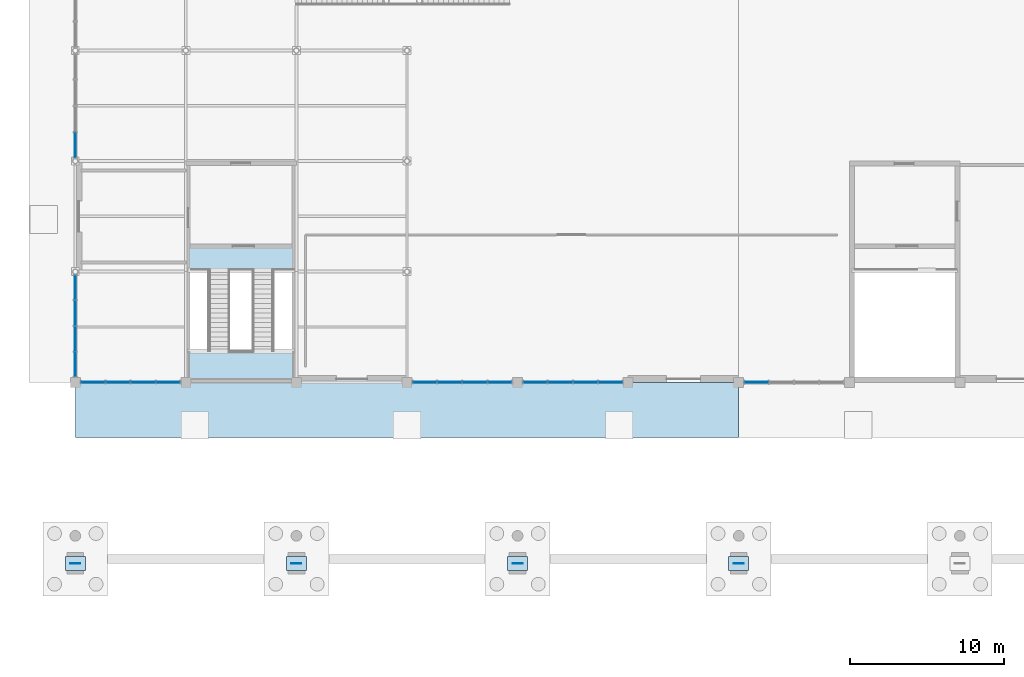
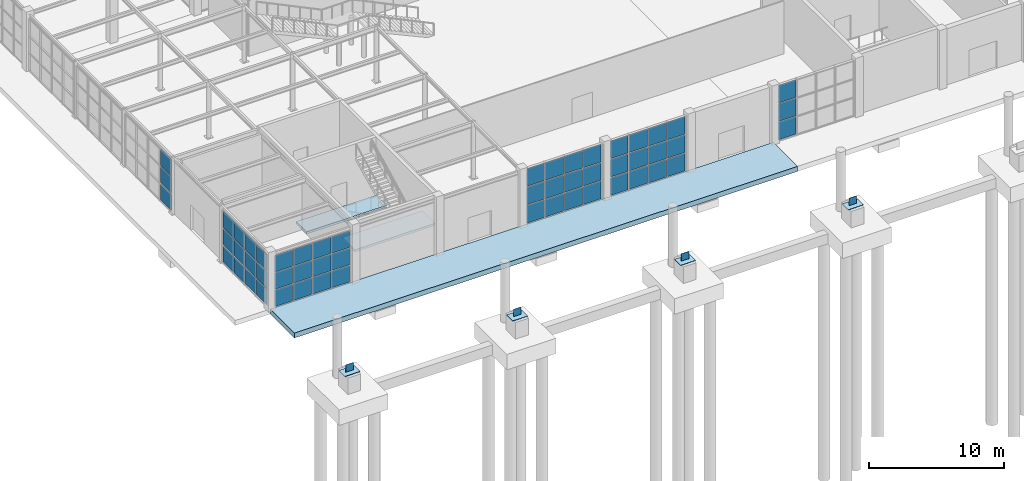
# One storey, part 37 of 75: 62 plates, 3 slabs, 7 elements without a shape of their own.
"""IFC4 building model written with IfcOpenShell, lengths in metres."""

from ifc_helpers import new_model, si_unit, direction, frame, origin, origin_2d, place, context, subcontext, project, spatial, polyline, rectangle, outline, extrude, material, layer, layer_set, type_object, element, aggregate, save


model = new_model("IFC4")

# Units and contexts
model_context = context("Model", 3, precision=1e-05, world=origin(), true_north=direction((0.0, 1.0)))
body_context = subcontext(model_context, "Body", "Model", "MODEL_VIEW")
ifc_project = project(units=[si_unit("LENGTHUNIT", "METRE"), si_unit("AREAUNIT", "SQUARE_METRE"), si_unit("VOLUMEUNIT", "CUBIC_METRE"), si_unit("PLANEANGLEUNIT", "RADIAN"), si_unit("MASSUNIT", "GRAM", prefix="KILO")], contexts=[model_context])

# Site, building, storey
site_placement = place(None, origin())
site = spatial("IfcSite", under=ifc_project, at=site_placement, CompositionType="ELEMENT")
building_placement = place(site_placement, origin())
building = spatial("IfcBuilding", under=site, at=building_placement, Name="Leyfeld Transit Interchange", CompositionType="ELEMENT")
storey_placement = place(building_placement, origin())
storey = spatial("IfcBuildingStorey", under=building, at=storey_placement, Name="L00", CompositionType="ELEMENT", Elevation=0.0)

# Curtain wall, plates
ifc_material_1 = material(Name="Anodised aluminium EN AW-6060 T66", Category="aluminium")
curtain_wall_type = type_object("IfcCurtainWallType", Name="CW-SYS-ARC-7200", PredefinedType="NOTDEFINED", material=ifc_material_1)
curtain_wall_1_placement = place(storey_placement, origin())
curtain_wall_1 = element("IfcCurtainWall", 1, at=curtain_wall_1_placement, inside=storey, type_object=curtain_wall_type, Name="Curtain Wall CW-L00-001", PredefinedType="NOTDEFINED")
ifc_material_2 = material(Name="Triple low-E insulated glazing", Category="glass")
ifc_layer_1 = layer(ifc_material_2, 0.0439453125, Name="Triple low-E insulated glazing")
ifc_layer_set_1 = layer_set([ifc_layer_1], Name="Triple low-E insulated glazing")
plate_type_1 = type_object("IfcPlateType", Name="CW-PNL-GLZ-44", PredefinedType="CURTAIN_PANEL", material=ifc_layer_set_1)
plate_1_placement = place(storey_placement, frame((0.0, 15.575927734375, 0.08349609375), z_axis=(0.0, 0.0, 1.0), x_axis=(0.0, 1.0, 0.0)))
plate_1 = element("IfcPlate", 2, at=plate_1_placement, type_object=plate_type_1, Name="Glazed Curtain Panel CW-L00-001-P01_1", PredefinedType="CURTAIN_PANEL", context=body_context, shape_type="SweptSolid", body=[
    extrude(rectangle(XDim=1.5546875, YDim=0.0439453125, at=origin_2d()), origin(), (0.0, 0.0, 1.0), 1.479736328125),
])
plate_2_placement = place(storey_placement, frame((0.0, 15.575927734375, 1.645263671875), z_axis=(0.0, 0.0, 1.0), x_axis=(0.0, 1.0, 0.0)))
plate_2 = element("IfcPlate", 3, at=plate_2_placement, type_object=plate_type_1, Name="Glazed Curtain Panel CW-L00-001-P01_2", PredefinedType="CURTAIN_PANEL", context=body_context, shape_type="SweptSolid", body=[
    extrude(rectangle(XDim=1.5546875, YDim=0.0439453125, at=origin_2d()), origin(), (0.0, 0.0, 1.0), 1.4794921875),
])
plate_3_placement = place(storey_placement, frame((0.0, 15.575927734375, 3.20654296875), z_axis=(0.0, 0.0, 1.0), x_axis=(0.0, 1.0, 0.0)))
plate_3 = element("IfcPlate", 4, at=plate_3_placement, type_object=plate_type_1, Name="Glazed Curtain Panel CW-L00-001-P01_3", PredefinedType="CURTAIN_PANEL", context=body_context, shape_type="SweptSolid", body=[
    extrude(rectangle(XDim=1.5546875, YDim=0.0439453125, at=origin_2d()), origin(), (0.0, 0.0, 1.0), 1.479736328125),
])
plate_4_placement = place(storey_placement, frame((0.0, 17.23388671875, 0.08349609375), z_axis=(0.0, 0.0, 1.0), x_axis=(0.0, 1.0, 0.0)))
plate_4 = element("IfcPlate", 5, at=plate_4_placement, type_object=plate_type_1, Name="Glazed Curtain Panel CW-L00-001-P02_1", PredefinedType="CURTAIN_PANEL", context=body_context, shape_type="SweptSolid", body=[
    extrude(rectangle(XDim=1.597412109375, YDim=0.0439453125, at=origin_2d()), origin(), (0.0, 0.0, 1.0), 1.479736328125),
])
plate_5_placement = place(storey_placement, frame((0.0, 17.23388671875, 1.645263671875), z_axis=(0.0, 0.0, 1.0), x_axis=(0.0, 1.0, 0.0)))
plate_5 = element("IfcPlate", 6, at=plate_5_placement, type_object=plate_type_1, Name="Glazed Curtain Panel CW-L00-001-P02_2", PredefinedType="CURTAIN_PANEL", context=body_context, shape_type="SweptSolid", body=[
    extrude(rectangle(XDim=1.597412109375, YDim=0.0439453125, at=origin_2d()), origin(), (0.0, 0.0, 1.0), 1.4794921875),
])
plate_6_placement = place(storey_placement, frame((0.0, 17.23388671875, 3.20654296875), z_axis=(0.0, 0.0, 1.0), x_axis=(0.0, 1.0, 0.0)))
plate_6 = element("IfcPlate", 7, at=plate_6_placement, type_object=plate_type_1, Name="Glazed Curtain Panel CW-L00-001-P02_3", PredefinedType="CURTAIN_PANEL", context=body_context, shape_type="SweptSolid", body=[
    extrude(rectangle(XDim=1.597412109375, YDim=0.0439453125, at=origin_2d()), origin(), (0.0, 0.0, 1.0), 1.479736328125),
])
plate_7_placement = place(storey_placement, frame((0.0, 18.9130859375, 0.08349609375), z_axis=(0.0, 0.0, 1.0), x_axis=(0.0, 1.0, 0.0)))
plate_7 = element("IfcPlate", 8, at=plate_7_placement, type_object=plate_type_1, Name="Glazed Curtain Panel CW-L00-001-P03_1", PredefinedType="CURTAIN_PANEL", context=body_context, shape_type="SweptSolid", body=[
    extrude(rectangle(XDim=1.597412109375, YDim=0.0439453125, at=origin_2d()), origin(), (0.0, 0.0, 1.0), 1.479736328125),
])
plate_8_placement = place(storey_placement, frame((0.0, 18.9130859375, 1.645263671875), z_axis=(0.0, 0.0, 1.0), x_axis=(0.0, 1.0, 0.0)))
plate_8 = element("IfcPlate", 9, at=plate_8_placement, type_object=plate_type_1, Name="Glazed Curtain Panel CW-L00-001-P03_2", PredefinedType="CURTAIN_PANEL", context=body_context, shape_type="SweptSolid", body=[
    extrude(rectangle(XDim=1.597412109375, YDim=0.0439453125, at=origin_2d()), origin(), (0.0, 0.0, 1.0), 1.4794921875),
])
plate_9_placement = place(storey_placement, frame((0.0, 18.9130859375, 3.20654296875), z_axis=(0.0, 0.0, 1.0), x_axis=(0.0, 1.0, 0.0)))
plate_9 = element("IfcPlate", 10, at=plate_9_placement, type_object=plate_type_1, Name="Glazed Curtain Panel CW-L00-001-P03_3", PredefinedType="CURTAIN_PANEL", context=body_context, shape_type="SweptSolid", body=[
    extrude(rectangle(XDim=1.597412109375, YDim=0.0439453125, at=origin_2d()), origin(), (0.0, 0.0, 1.0), 1.479736328125),
])
plate_10_placement = place(storey_placement, frame((0.0, 20.5712890625, 0.08349609375), z_axis=(0.0, 0.0, 1.0), x_axis=(0.0, 1.0, 0.0)))
plate_10 = element("IfcPlate", 11, at=plate_10_placement, type_object=plate_type_1, Name="Glazed Curtain Panel CW-L00-001-P04_1", PredefinedType="CURTAIN_PANEL", context=body_context, shape_type="SweptSolid", body=[
    extrude(rectangle(XDim=1.5546875, YDim=0.0439453125, at=origin_2d()), origin(), (0.0, 0.0, 1.0), 1.479736328125),
])
plate_11_placement = place(storey_placement, frame((0.0, 20.5712890625, 1.645263671875), z_axis=(0.0, 0.0, 1.0), x_axis=(0.0, 1.0, 0.0)))
plate_11 = element("IfcPlate", 12, at=plate_11_placement, type_object=plate_type_1, Name="Glazed Curtain Panel CW-L00-001-P04_2", PredefinedType="CURTAIN_PANEL", context=body_context, shape_type="SweptSolid", body=[
    extrude(rectangle(XDim=1.5546875, YDim=0.0439453125, at=origin_2d()), origin(), (0.0, 0.0, 1.0), 1.4794921875),
])
plate_12_placement = place(storey_placement, frame((0.0, 20.5712890625, 3.20654296875), z_axis=(0.0, 0.0, 1.0), x_axis=(0.0, 1.0, 0.0)))
plate_12 = element("IfcPlate", 13, at=plate_12_placement, type_object=plate_type_1, Name="Glazed Curtain Panel CW-L00-001-P04_3", PredefinedType="CURTAIN_PANEL", context=body_context, shape_type="SweptSolid", body=[
    extrude(rectangle(XDim=1.5546875, YDim=0.0439453125, at=origin_2d()), origin(), (0.0, 0.0, 1.0), 1.479736328125),
])
aggregate(curtain_wall_1, [plate_1, plate_2, plate_3, plate_4, plate_5, plate_6, plate_7, plate_8, plate_9, plate_10, plate_11, plate_12])

curtain_wall_2_placement = place(storey_placement, origin())
curtain_wall_2 = element("IfcCurtainWall", 14, at=curtain_wall_2_placement, inside=storey, type_object=curtain_wall_type, Name="Curtain Wall CW-L00-003", PredefinedType="NOTDEFINED")
plate_13_placement = place(storey_placement, frame((0.0, 29.84716796875, 0.08349609375), z_axis=(0.0, 0.0, 1.0), x_axis=(0.0, 1.0, 0.0)))
plate_13 = element("IfcPlate", 15, at=plate_13_placement, type_object=plate_type_1, Name="Glazed Curtain Panel CW-L00-003-P01_1", PredefinedType="CURTAIN_PANEL", context=body_context, shape_type="SweptSolid", body=[
    extrude(rectangle(XDim=1.591552734375, YDim=0.0439453125, at=origin_2d()), origin(), (0.0, 0.0, 1.0), 1.479736328125),
])
plate_14_placement = place(storey_placement, frame((0.0, 29.84716796875, 1.645263671875), z_axis=(0.0, 0.0, 1.0), x_axis=(0.0, 1.0, 0.0)))
plate_14 = element("IfcPlate", 16, at=plate_14_placement, type_object=plate_type_1, Name="Glazed Curtain Panel CW-L00-003-P01_2", PredefinedType="CURTAIN_PANEL", context=body_context, shape_type="SweptSolid", body=[
    extrude(rectangle(XDim=1.591552734375, YDim=0.0439453125, at=origin_2d()), origin(), (0.0, 0.0, 1.0), 1.4794921875),
])
plate_15_placement = place(storey_placement, frame((0.0, 29.84716796875, 3.20654296875), z_axis=(0.0, 0.0, 1.0), x_axis=(0.0, 1.0, 0.0)))
plate_15 = element("IfcPlate", 17, at=plate_15_placement, type_object=plate_type_1, Name="Glazed Curtain Panel CW-L00-003-P01_3", PredefinedType="CURTAIN_PANEL", context=body_context, shape_type="SweptSolid", body=[
    extrude(rectangle(XDim=1.591552734375, YDim=0.0439453125, at=origin_2d()), origin(), (0.0, 0.0, 1.0), 1.479736328125),
])
aggregate(curtain_wall_2, [plate_13, plate_14, plate_15])

curtain_wall_3_placement = place(storey_placement, origin())
curtain_wall_3 = element("IfcCurtainWall", 18, at=curtain_wall_3_placement, inside=storey, type_object=curtain_wall_type, Name="Curtain Wall CW-L00-036", PredefinedType="NOTDEFINED")
plate_16_placement = place(storey_placement, frame((44.357421875, 14.39990234375, 0.08349609375), z_axis=(0.0, 0.0, 1.0), x_axis=(-1.0, 0.0, 0.0)))
plate_16 = element("IfcPlate", 19, at=plate_16_placement, type_object=plate_type_1, Name="Glazed Curtain Panel CW-L00-036-P04_1", PredefinedType="CURTAIN_PANEL", context=body_context, shape_type="SweptSolid", body=[
    extrude(rectangle(XDim=1.51806640625, YDim=0.0439453125, at=origin_2d()), origin(), (0.0, 0.0, 1.0), 1.589599609375),
])
plate_17_placement = place(storey_placement, frame((44.357421875, 14.39990234375, 1.75537109375), z_axis=(0.0, 0.0, 1.0), x_axis=(-1.0, 0.0, 0.0)))
plate_17 = element("IfcPlate", 20, at=plate_17_placement, type_object=plate_type_1, Name="Glazed Curtain Panel CW-L00-036-P04_2", PredefinedType="CURTAIN_PANEL", context=body_context, shape_type="SweptSolid", body=[
    extrude(rectangle(XDim=1.51806640625, YDim=0.0439453125, at=origin_2d()), origin(), (0.0, 0.0, 1.0), 1.589599609375),
])
plate_18_placement = place(storey_placement, frame((44.357421875, 14.39990234375, 3.4267578125), z_axis=(0.0, 0.0, 1.0), x_axis=(-1.0, 0.0, 0.0)))
plate_18 = element("IfcPlate", 21, at=plate_18_placement, type_object=plate_type_1, Name="Glazed Curtain Panel CW-L00-036-P04_3", PredefinedType="CURTAIN_PANEL", context=body_context, shape_type="SweptSolid", body=[
    extrude(rectangle(XDim=1.51806640625, YDim=0.0439453125, at=origin_2d()), origin(), (0.0, 0.0, 1.0), 1.589599609375),
])
aggregate(curtain_wall_3, [plate_16, plate_17, plate_18])

curtain_wall_4_placement = place(storey_placement, origin())
curtain_wall_4 = element("IfcCurtainWall", 22, at=curtain_wall_4_placement, inside=storey, type_object=curtain_wall_type, Name="Curtain Wall CW-L00-037", PredefinedType="NOTDEFINED")
plate_19_placement = place(storey_placement, frame((34.842529296875, 14.39990234375, 0.08349609375), z_axis=(0.0, 0.0, 1.0), x_axis=(-1.0, 0.0, 0.0)))
plate_19 = element("IfcPlate", 23, at=plate_19_placement, type_object=plate_type_1, Name="Glazed Curtain Panel CW-L00-037-P01_1", PredefinedType="CURTAIN_PANEL", context=body_context, shape_type="SweptSolid", body=[
    extrude(rectangle(XDim=1.51806640625, YDim=0.0439453125, at=origin_2d()), origin(), (0.0, 0.0, 1.0), 1.589599609375),
])
plate_20_placement = place(storey_placement, frame((34.842529296875, 14.39990234375, 1.75537109375), z_axis=(0.0, 0.0, 1.0), x_axis=(-1.0, 0.0, 0.0)))
plate_20 = element("IfcPlate", 24, at=plate_20_placement, type_object=plate_type_1, Name="Glazed Curtain Panel CW-L00-037-P01_2", PredefinedType="CURTAIN_PANEL", context=body_context, shape_type="SweptSolid", body=[
    extrude(rectangle(XDim=1.51806640625, YDim=0.0439453125, at=origin_2d()), origin(), (0.0, 0.0, 1.0), 1.589599609375),
])
plate_21_placement = place(storey_placement, frame((34.842529296875, 14.39990234375, 3.4267578125), z_axis=(0.0, 0.0, 1.0), x_axis=(-1.0, 0.0, 0.0)))
plate_21 = element("IfcPlate", 25, at=plate_21_placement, type_object=plate_type_1, Name="Glazed Curtain Panel CW-L00-037-P01_3", PredefinedType="CURTAIN_PANEL", context=body_context, shape_type="SweptSolid", body=[
    extrude(rectangle(XDim=1.51806640625, YDim=0.0439453125, at=origin_2d()), origin(), (0.0, 0.0, 1.0), 1.589599609375),
])
plate_22_placement = place(storey_placement, frame((33.22119140625, 14.39990234375, 0.08349609375), z_axis=(0.0, 0.0, 1.0), x_axis=(-1.0, 0.0, 0.0)))
plate_22 = element("IfcPlate", 26, at=plate_22_placement, type_object=plate_type_1, Name="Glazed Curtain Panel CW-L00-037-P02_1", PredefinedType="CURTAIN_PANEL", context=body_context, shape_type="SweptSolid", body=[
    extrude(rectangle(XDim=1.560546875, YDim=0.0439453125, at=origin_2d()), origin(), (0.0, 0.0, 1.0), 1.589599609375),
])
plate_23_placement = place(storey_placement, frame((33.22119140625, 14.39990234375, 1.75537109375), z_axis=(0.0, 0.0, 1.0), x_axis=(-1.0, 0.0, 0.0)))
plate_23 = element("IfcPlate", 27, at=plate_23_placement, type_object=plate_type_1, Name="Glazed Curtain Panel CW-L00-037-P02_2", PredefinedType="CURTAIN_PANEL", context=body_context, shape_type="SweptSolid", body=[
    extrude(rectangle(XDim=1.560546875, YDim=0.0439453125, at=origin_2d()), origin(), (0.0, 0.0, 1.0), 1.589599609375),
])
plate_24_placement = place(storey_placement, frame((33.22119140625, 14.39990234375, 3.4267578125), z_axis=(0.0, 0.0, 1.0), x_axis=(-1.0, 0.0, 0.0)))
plate_24 = element("IfcPlate", 28, at=plate_24_placement, type_object=plate_type_1, Name="Glazed Curtain Panel CW-L00-037-P02_3", PredefinedType="CURTAIN_PANEL", context=body_context, shape_type="SweptSolid", body=[
    extrude(rectangle(XDim=1.560546875, YDim=0.0439453125, at=origin_2d()), origin(), (0.0, 0.0, 1.0), 1.589599609375),
])
plate_25_placement = place(storey_placement, frame((31.578857421875, 14.39990234375, 0.08349609375), z_axis=(0.0, 0.0, 1.0), x_axis=(-1.0, 0.0, 0.0)))
plate_25 = element("IfcPlate", 29, at=plate_25_placement, type_object=plate_type_1, Name="Glazed Curtain Panel CW-L00-037-P03_1", PredefinedType="CURTAIN_PANEL", context=body_context, shape_type="SweptSolid", body=[
    extrude(rectangle(XDim=1.560546875, YDim=0.0439453125, at=origin_2d()), origin(), (0.0, 0.0, 1.0), 1.589599609375),
])
plate_26_placement = place(storey_placement, frame((31.578857421875, 14.39990234375, 1.75537109375), z_axis=(0.0, 0.0, 1.0), x_axis=(-1.0, 0.0, 0.0)))
plate_26 = element("IfcPlate", 30, at=plate_26_placement, type_object=plate_type_1, Name="Glazed Curtain Panel CW-L00-037-P03_2", PredefinedType="CURTAIN_PANEL", context=body_context, shape_type="SweptSolid", body=[
    extrude(rectangle(XDim=1.560546875, YDim=0.0439453125, at=origin_2d()), origin(), (0.0, 0.0, 1.0), 1.589599609375),
])
plate_27_placement = place(storey_placement, frame((31.578857421875, 14.39990234375, 3.4267578125), z_axis=(0.0, 0.0, 1.0), x_axis=(-1.0, 0.0, 0.0)))
plate_27 = element("IfcPlate", 31, at=plate_27_placement, type_object=plate_type_1, Name="Glazed Curtain Panel CW-L00-037-P03_3", PredefinedType="CURTAIN_PANEL", context=body_context, shape_type="SweptSolid", body=[
    extrude(rectangle(XDim=1.560546875, YDim=0.0439453125, at=origin_2d()), origin(), (0.0, 0.0, 1.0), 1.589599609375),
])
plate_28_placement = place(storey_placement, frame((29.95751953125, 14.39990234375, 0.08349609375), z_axis=(0.0, 0.0, 1.0), x_axis=(-1.0, 0.0, 0.0)))
plate_28 = element("IfcPlate", 32, at=plate_28_placement, type_object=plate_type_1, Name="Glazed Curtain Panel CW-L00-037-P04_1", PredefinedType="CURTAIN_PANEL", context=body_context, shape_type="SweptSolid", body=[
    extrude(rectangle(XDim=1.51806640625, YDim=0.0439453125, at=origin_2d()), origin(), (0.0, 0.0, 1.0), 1.589599609375),
])
plate_29_placement = place(storey_placement, frame((29.95751953125, 14.39990234375, 1.75537109375), z_axis=(0.0, 0.0, 1.0), x_axis=(-1.0, 0.0, 0.0)))
plate_29 = element("IfcPlate", 33, at=plate_29_placement, type_object=plate_type_1, Name="Glazed Curtain Panel CW-L00-037-P04_2", PredefinedType="CURTAIN_PANEL", context=body_context, shape_type="SweptSolid", body=[
    extrude(rectangle(XDim=1.51806640625, YDim=0.0439453125, at=origin_2d()), origin(), (0.0, 0.0, 1.0), 1.589599609375),
])
plate_30_placement = place(storey_placement, frame((29.95751953125, 14.39990234375, 3.4267578125), z_axis=(0.0, 0.0, 1.0), x_axis=(-1.0, 0.0, 0.0)))
plate_30 = element("IfcPlate", 34, at=plate_30_placement, type_object=plate_type_1, Name="Glazed Curtain Panel CW-L00-037-P04_3", PredefinedType="CURTAIN_PANEL", context=body_context, shape_type="SweptSolid", body=[
    extrude(rectangle(XDim=1.51806640625, YDim=0.0439453125, at=origin_2d()), origin(), (0.0, 0.0, 1.0), 1.589599609375),
])
aggregate(curtain_wall_4, [plate_19, plate_20, plate_21, plate_22, plate_23, plate_24, plate_25, plate_26, plate_27, plate_28, plate_29, plate_30])

curtain_wall_5_placement = place(storey_placement, origin())
curtain_wall_5 = element("IfcCurtainWall", 35, at=curtain_wall_5_placement, inside=storey, type_object=curtain_wall_type, Name="Curtain Wall CW-L00-038", PredefinedType="NOTDEFINED")
plate_31_placement = place(storey_placement, frame((27.642578125, 14.39990234375, 0.08349609375), z_axis=(0.0, 0.0, 1.0), x_axis=(-1.0, 0.0, 0.0)))
plate_31 = element("IfcPlate", 36, at=plate_31_placement, type_object=plate_type_1, Name="Glazed Curtain Panel CW-L00-038-P01_1", PredefinedType="CURTAIN_PANEL", context=body_context, shape_type="SweptSolid", body=[
    extrude(rectangle(XDim=1.51806640625, YDim=0.0439453125, at=origin_2d()), origin(), (0.0, 0.0, 1.0), 1.589599609375),
])
plate_32_placement = place(storey_placement, frame((27.642578125, 14.39990234375, 1.75537109375), z_axis=(0.0, 0.0, 1.0), x_axis=(-1.0, 0.0, 0.0)))
plate_32 = element("IfcPlate", 37, at=plate_32_placement, type_object=plate_type_1, Name="Glazed Curtain Panel CW-L00-038-P01_2", PredefinedType="CURTAIN_PANEL", context=body_context, shape_type="SweptSolid", body=[
    extrude(rectangle(XDim=1.51806640625, YDim=0.0439453125, at=origin_2d()), origin(), (0.0, 0.0, 1.0), 1.589599609375),
])
plate_33_placement = place(storey_placement, frame((27.642578125, 14.39990234375, 3.4267578125), z_axis=(0.0, 0.0, 1.0), x_axis=(-1.0, 0.0, 0.0)))
plate_33 = element("IfcPlate", 38, at=plate_33_placement, type_object=plate_type_1, Name="Glazed Curtain Panel CW-L00-038-P01_3", PredefinedType="CURTAIN_PANEL", context=body_context, shape_type="SweptSolid", body=[
    extrude(rectangle(XDim=1.51806640625, YDim=0.0439453125, at=origin_2d()), origin(), (0.0, 0.0, 1.0), 1.589599609375),
])
plate_34_placement = place(storey_placement, frame((26.021240234375, 14.39990234375, 0.08349609375), z_axis=(0.0, 0.0, 1.0), x_axis=(-1.0, 0.0, 0.0)))
plate_34 = element("IfcPlate", 39, at=plate_34_placement, type_object=plate_type_1, Name="Glazed Curtain Panel CW-L00-038-P02_1", PredefinedType="CURTAIN_PANEL", context=body_context, shape_type="SweptSolid", body=[
    extrude(rectangle(XDim=1.560546875, YDim=0.0439453125, at=origin_2d()), origin(), (0.0, 0.0, 1.0), 1.589599609375),
])
plate_35_placement = place(storey_placement, frame((26.021240234375, 14.39990234375, 1.75537109375), z_axis=(0.0, 0.0, 1.0), x_axis=(-1.0, 0.0, 0.0)))
plate_35 = element("IfcPlate", 40, at=plate_35_placement, type_object=plate_type_1, Name="Glazed Curtain Panel CW-L00-038-P02_2", PredefinedType="CURTAIN_PANEL", context=body_context, shape_type="SweptSolid", body=[
    extrude(rectangle(XDim=1.560546875, YDim=0.0439453125, at=origin_2d()), origin(), (0.0, 0.0, 1.0), 1.589599609375),
])
plate_36_placement = place(storey_placement, frame((26.021240234375, 14.39990234375, 3.4267578125), z_axis=(0.0, 0.0, 1.0), x_axis=(-1.0, 0.0, 0.0)))
plate_36 = element("IfcPlate", 41, at=plate_36_placement, type_object=plate_type_1, Name="Glazed Curtain Panel CW-L00-038-P02_3", PredefinedType="CURTAIN_PANEL", context=body_context, shape_type="SweptSolid", body=[
    extrude(rectangle(XDim=1.560546875, YDim=0.0439453125, at=origin_2d()), origin(), (0.0, 0.0, 1.0), 1.589599609375),
])
plate_37_placement = place(storey_placement, frame((24.37890625, 14.39990234375, 0.08349609375), z_axis=(0.0, 0.0, 1.0), x_axis=(-1.0, 0.0, 0.0)))
plate_37 = element("IfcPlate", 42, at=plate_37_placement, type_object=plate_type_1, Name="Glazed Curtain Panel CW-L00-038-P03_1", PredefinedType="CURTAIN_PANEL", context=body_context, shape_type="SweptSolid", body=[
    extrude(rectangle(XDim=1.560546875, YDim=0.0439453125, at=origin_2d()), origin(), (0.0, 0.0, 1.0), 1.589599609375),
])
plate_38_placement = place(storey_placement, frame((24.37890625, 14.39990234375, 1.75537109375), z_axis=(0.0, 0.0, 1.0), x_axis=(-1.0, 0.0, 0.0)))
plate_38 = element("IfcPlate", 43, at=plate_38_placement, type_object=plate_type_1, Name="Glazed Curtain Panel CW-L00-038-P03_2", PredefinedType="CURTAIN_PANEL", context=body_context, shape_type="SweptSolid", body=[
    extrude(rectangle(XDim=1.560546875, YDim=0.0439453125, at=origin_2d()), origin(), (0.0, 0.0, 1.0), 1.589599609375),
])
plate_39_placement = place(storey_placement, frame((24.37890625, 14.39990234375, 3.4267578125), z_axis=(0.0, 0.0, 1.0), x_axis=(-1.0, 0.0, 0.0)))
plate_39 = element("IfcPlate", 44, at=plate_39_placement, type_object=plate_type_1, Name="Glazed Curtain Panel CW-L00-038-P03_3", PredefinedType="CURTAIN_PANEL", context=body_context, shape_type="SweptSolid", body=[
    extrude(rectangle(XDim=1.560546875, YDim=0.0439453125, at=origin_2d()), origin(), (0.0, 0.0, 1.0), 1.589599609375),
])
plate_40_placement = place(storey_placement, frame((22.757568359375, 14.39990234375, 0.08349609375), z_axis=(0.0, 0.0, 1.0), x_axis=(-1.0, 0.0, 0.0)))
plate_40 = element("IfcPlate", 45, at=plate_40_placement, type_object=plate_type_1, Name="Glazed Curtain Panel CW-L00-038-P04_1", PredefinedType="CURTAIN_PANEL", context=body_context, shape_type="SweptSolid", body=[
    extrude(rectangle(XDim=1.51806640625, YDim=0.0439453125, at=origin_2d()), origin(), (0.0, 0.0, 1.0), 1.589599609375),
])
plate_41_placement = place(storey_placement, frame((22.757568359375, 14.39990234375, 1.75537109375), z_axis=(0.0, 0.0, 1.0), x_axis=(-1.0, 0.0, 0.0)))
plate_41 = element("IfcPlate", 46, at=plate_41_placement, type_object=plate_type_1, Name="Glazed Curtain Panel CW-L00-038-P04_2", PredefinedType="CURTAIN_PANEL", context=body_context, shape_type="SweptSolid", body=[
    extrude(rectangle(XDim=1.51806640625, YDim=0.0439453125, at=origin_2d()), origin(), (0.0, 0.0, 1.0), 1.589599609375),
])
plate_42_placement = place(storey_placement, frame((22.757568359375, 14.39990234375, 3.4267578125), z_axis=(0.0, 0.0, 1.0), x_axis=(-1.0, 0.0, 0.0)))
plate_42 = element("IfcPlate", 47, at=plate_42_placement, type_object=plate_type_1, Name="Glazed Curtain Panel CW-L00-038-P04_3", PredefinedType="CURTAIN_PANEL", context=body_context, shape_type="SweptSolid", body=[
    extrude(rectangle(XDim=1.51806640625, YDim=0.0439453125, at=origin_2d()), origin(), (0.0, 0.0, 1.0), 1.589599609375),
])
aggregate(curtain_wall_5, [plate_31, plate_32, plate_33, plate_34, plate_35, plate_36, plate_37, plate_38, plate_39, plate_40, plate_41, plate_42])

curtain_wall_6_placement = place(storey_placement, origin())
curtain_wall_6 = element("IfcCurtainWall", 48, at=curtain_wall_6_placement, inside=storey, type_object=curtain_wall_type, Name="Curtain Wall CW-L00-039", PredefinedType="NOTDEFINED")
plate_43_placement = place(storey_placement, frame((6.04248046875, 14.39990234375, 0.08349609375), z_axis=(0.0, 0.0, 1.0), x_axis=(-1.0, 0.0, 0.0)))
plate_43 = element("IfcPlate", 49, at=plate_43_placement, type_object=plate_type_1, Name="Glazed Curtain Panel CW-L00-039-P01_1", PredefinedType="CURTAIN_PANEL", context=body_context, shape_type="SweptSolid", body=[
    extrude(rectangle(XDim=1.51806640625, YDim=0.0439453125, at=origin_2d()), origin(), (0.0, 0.0, 1.0), 1.48974609375),
])
plate_44_placement = place(storey_placement, frame((6.04248046875, 14.39990234375, 1.6552734375), z_axis=(0.0, 0.0, 1.0), x_axis=(-1.0, 0.0, 0.0)))
plate_44 = element("IfcPlate", 50, at=plate_44_placement, type_object=plate_type_1, Name="Glazed Curtain Panel CW-L00-039-P01_2", PredefinedType="CURTAIN_PANEL", context=body_context, shape_type="SweptSolid", body=[
    extrude(rectangle(XDim=1.51806640625, YDim=0.0439453125, at=origin_2d()), origin(), (0.0, 0.0, 1.0), 1.489501953125),
])
plate_45_placement = place(storey_placement, frame((6.04248046875, 14.39990234375, 3.226806640625), z_axis=(0.0, 0.0, 1.0), x_axis=(-1.0, 0.0, 0.0)))
plate_45 = element("IfcPlate", 51, at=plate_45_placement, type_object=plate_type_1, Name="Glazed Curtain Panel CW-L00-039-P01_3", PredefinedType="CURTAIN_PANEL", context=body_context, shape_type="SweptSolid", body=[
    extrude(rectangle(XDim=1.51806640625, YDim=0.0439453125, at=origin_2d()), origin(), (0.0, 0.0, 1.0), 1.48974609375),
])
plate_46_placement = place(storey_placement, frame((4.421142578125, 14.39990234375, 0.08349609375), z_axis=(0.0, 0.0, 1.0), x_axis=(-1.0, 0.0, 0.0)))
plate_46 = element("IfcPlate", 52, at=plate_46_placement, type_object=plate_type_1, Name="Glazed Curtain Panel CW-L00-039-P02_1", PredefinedType="CURTAIN_PANEL", context=body_context, shape_type="SweptSolid", body=[
    extrude(rectangle(XDim=1.560546875, YDim=0.0439453125, at=origin_2d()), origin(), (0.0, 0.0, 1.0), 1.48974609375),
])
plate_47_placement = place(storey_placement, frame((4.421142578125, 14.39990234375, 1.6552734375), z_axis=(0.0, 0.0, 1.0), x_axis=(-1.0, 0.0, 0.0)))
plate_47 = element("IfcPlate", 53, at=plate_47_placement, type_object=plate_type_1, Name="Glazed Curtain Panel CW-L00-039-P02_2", PredefinedType="CURTAIN_PANEL", context=body_context, shape_type="SweptSolid", body=[
    extrude(rectangle(XDim=1.560546875, YDim=0.0439453125, at=origin_2d()), origin(), (0.0, 0.0, 1.0), 1.489501953125),
])
plate_48_placement = place(storey_placement, frame((4.421142578125, 14.39990234375, 3.226806640625), z_axis=(0.0, 0.0, 1.0), x_axis=(-1.0, 0.0, 0.0)))
plate_48 = element("IfcPlate", 54, at=plate_48_placement, type_object=plate_type_1, Name="Glazed Curtain Panel CW-L00-039-P02_3", PredefinedType="CURTAIN_PANEL", context=body_context, shape_type="SweptSolid", body=[
    extrude(rectangle(XDim=1.560546875, YDim=0.0439453125, at=origin_2d()), origin(), (0.0, 0.0, 1.0), 1.48974609375),
])
plate_49_placement = place(storey_placement, frame((2.77880859375, 14.39990234375, 0.08349609375), z_axis=(0.0, 0.0, 1.0), x_axis=(-1.0, 0.0, 0.0)))
plate_49 = element("IfcPlate", 55, at=plate_49_placement, type_object=plate_type_1, Name="Glazed Curtain Panel CW-L00-039-P03_1", PredefinedType="CURTAIN_PANEL", context=body_context, shape_type="SweptSolid", body=[
    extrude(rectangle(XDim=1.560546875, YDim=0.0439453125, at=origin_2d()), origin(), (0.0, 0.0, 1.0), 1.48974609375),
])
plate_50_placement = place(storey_placement, frame((2.77880859375, 14.39990234375, 1.6552734375), z_axis=(0.0, 0.0, 1.0), x_axis=(-1.0, 0.0, 0.0)))
plate_50 = element("IfcPlate", 56, at=plate_50_placement, type_object=plate_type_1, Name="Glazed Curtain Panel CW-L00-039-P03_2", PredefinedType="CURTAIN_PANEL", context=body_context, shape_type="SweptSolid", body=[
    extrude(rectangle(XDim=1.560546875, YDim=0.0439453125, at=origin_2d()), origin(), (0.0, 0.0, 1.0), 1.489501953125),
])
plate_51_placement = place(storey_placement, frame((2.77880859375, 14.39990234375, 3.226806640625), z_axis=(0.0, 0.0, 1.0), x_axis=(-1.0, 0.0, 0.0)))
plate_51 = element("IfcPlate", 57, at=plate_51_placement, type_object=plate_type_1, Name="Glazed Curtain Panel CW-L00-039-P03_3", PredefinedType="CURTAIN_PANEL", context=body_context, shape_type="SweptSolid", body=[
    extrude(rectangle(XDim=1.560546875, YDim=0.0439453125, at=origin_2d()), origin(), (0.0, 0.0, 1.0), 1.48974609375),
])
plate_52_placement = place(storey_placement, frame((1.157470703125, 14.39990234375, 0.08349609375), z_axis=(0.0, 0.0, 1.0), x_axis=(-1.0, 0.0, 0.0)))
plate_52 = element("IfcPlate", 58, at=plate_52_placement, type_object=plate_type_1, Name="Glazed Curtain Panel CW-L00-039-P04_1", PredefinedType="CURTAIN_PANEL", context=body_context, shape_type="SweptSolid", body=[
    extrude(rectangle(XDim=1.51806640625, YDim=0.0439453125, at=origin_2d()), origin(), (0.0, 0.0, 1.0), 1.48974609375),
])
plate_53_placement = place(storey_placement, frame((1.157470703125, 14.39990234375, 1.6552734375), z_axis=(0.0, 0.0, 1.0), x_axis=(-1.0, 0.0, 0.0)))
plate_53 = element("IfcPlate", 59, at=plate_53_placement, type_object=plate_type_1, Name="Glazed Curtain Panel CW-L00-039-P04_2", PredefinedType="CURTAIN_PANEL", context=body_context, shape_type="SweptSolid", body=[
    extrude(rectangle(XDim=1.51806640625, YDim=0.0439453125, at=origin_2d()), origin(), (0.0, 0.0, 1.0), 1.489501953125),
])
plate_54_placement = place(storey_placement, frame((1.157470703125, 14.39990234375, 3.226806640625), z_axis=(0.0, 0.0, 1.0), x_axis=(-1.0, 0.0, 0.0)))
plate_54 = element("IfcPlate", 60, at=plate_54_placement, type_object=plate_type_1, Name="Glazed Curtain Panel CW-L00-039-P04_3", PredefinedType="CURTAIN_PANEL", context=body_context, shape_type="SweptSolid", body=[
    extrude(rectangle(XDim=1.51806640625, YDim=0.0439453125, at=origin_2d()), origin(), (0.0, 0.0, 1.0), 1.48974609375),
])
aggregate(curtain_wall_6, [plate_43, plate_44, plate_45, plate_46, plate_47, plate_48, plate_49, plate_50, plate_51, plate_52, plate_53, plate_54])

# Plates
ifc_material_3 = material(Name="Steel S355J2", Category="steel")
ifc_layer_2 = layer(ifc_material_3, 0.035888671875, Name="Steel S355J2")
ifc_layer_set_2 = layer_set([ifc_layer_2], Name="Steel S355J2")
plate_type_2 = type_object("IfcPlateType", Name="PLT-BASE-36", PredefinedType="USERDEFINED", material=ifc_layer_set_2)
for number, where, z_axis, x_axis, name in (
    (61, (0.0, 2.60009765625, 1.5), (0.0, 0.0, 1.0), (1.0, 0.0, 0.0), "Arch Baseplate GP-W 1"),
    (62, (14.39990234375, 2.60009765625, 1.5), (0.0, 0.0, 1.0), (1.0, 0.0, 0.0), "Arch Baseplate AR-01 1"),
    (63, (28.800048828125, 2.60009765625, 1.5), (0.0, 0.0, 1.0), (1.0, 0.0, 0.0), "Arch Baseplate AR-02 1"),
    (64, (43.199951171875, 2.60009765625, 1.5), (0.0, 0.0, 1.0), (1.0, 0.0, 0.0), "Arch Baseplate AR-03 1"),
):
    element("IfcPlate", number, at=place(storey_placement, frame(where, z_axis=z_axis, x_axis=x_axis)), inside=storey, type_object=plate_type_2, Name=name, ObjectType="BASE_PLATE", PredefinedType="USERDEFINED", context=body_context, shape_type="SweptSolid", body=[
        extrude(rectangle(XDim=1.300048828125, YDim=0.89990234375, at=origin_2d()), origin(), (0.0, 0.0, 1.0), 0.035888671875),
    ])
ifc_material_4 = material(Name="Steel S355J2 - Ochre Arch", Category="steel")
ifc_layer_3 = layer(ifc_material_4, 0.030029296875, Name="Steel S355J2 - Ochre Arch")
ifc_layer_set_3 = layer_set([ifc_layer_3], Name="Steel S355J2 - Ochre Arch")
plate_type_3 = type_object("IfcPlateType", Name="PLT-CAP-30", PredefinedType="USERDEFINED", material=ifc_layer_set_3)
for number, where, z_axis, x_axis, name in (
    (65, (0.0, 2.60009765625, 1.099853515625), (0.0, 0.0, 1.0), (1.0, 0.0, 0.0), "Arch End Cap Plate GP-W 1"),
    (66, (14.39990234375, 2.60009765625, 1.099853515625), (0.0, 0.0, 1.0), (1.0, 0.0, 0.0), "Arch End Cap Plate AR-01 1"),
    (67, (28.800048828125, 2.60009765625, 1.099853515625), (0.0, 0.0, 1.0), (1.0, 0.0, 0.0), "Arch End Cap Plate AR-02 1"),
    (68, (43.199951171875, 2.60009765625, 1.099853515625), (0.0, 0.0, 1.0), (1.0, 0.0, 0.0), "Arch End Cap Plate AR-03 1"),
):
    element("IfcPlate", number, at=place(storey_placement, frame(where, z_axis=z_axis, x_axis=x_axis)), inside=storey, type_object=plate_type_3, Name=name, ObjectType="FLANGE_PLATE", PredefinedType="USERDEFINED", context=body_context, shape_type="SweptSolid", body=[
        extrude(rectangle(XDim=0.64990234375, YDim=0.030029296875, at=origin_2d()), origin(), (0.0, 0.0, 1.0), 1.10009765625),
    ])

# Slab
ifc_material_5 = material(Name="Precast concrete C40/50", Category="concrete")
ifc_layer_4 = layer(ifc_material_5, 0.199951171875, Name="Precast concrete C40/50")
ifc_layer_set_4 = layer_set([ifc_layer_4], Name="Precast concrete C40/50")
slab_type_1 = type_object("IfcSlabType", Name="SLB-LND-200", PredefinedType="LANDING", material=ifc_layer_set_4)
slab_1_placement = place(storey_placement, frame((0.0, 0.0, -0.199951171875)))
element("IfcSlab", 69, at=slab_1_placement, inside=storey, type_object=slab_type_1, Name="Core K6 Stair Floor Landing L00", PredefinedType="LANDING", context=body_context, shape_type="SweptSolid", body=[
    extrude(outline(polyline([(7.344970703125, 21.699951171875), (14.2548828125, 21.699951171875), (14.2548828125, 23.2451171875), (7.344970703125, 23.2451171875), (7.344970703125, 21.699951171875)])), origin(), (0.0, 0.0, 1.0), 0.199951171875),
])

# Stair, slab
stair_type = type_object("IfcStairType", Name="STR-HT-150x310", PredefinedType="HALF_TURN_STAIR", material=ifc_material_5)
stair_placement = place(storey_placement, origin())
stair = element("IfcStair", 70, at=stair_placement, inside=storey, type_object=stair_type, Name="Exit Stair ST-06 (L00 to L01)", PredefinedType="HALF_TURN_STAIR")
slab_2_placement = place(storey_placement, frame((0.0, 0.0, 2.5)))
slab_2 = element("IfcSlab", 71, at=slab_2_placement, type_object=slab_type_1, Name="Stair ST-06 L00 Half Landing", PredefinedType="LANDING", context=body_context, shape_type="SweptSolid", body=[
    extrude(outline(polyline([(7.344970703125, 14.544921875), (14.2548828125, 14.544921875), (14.2548828125, 16.429931640625), (7.344970703125, 16.429931640625), (7.344970703125, 14.544921875)])), origin(), (0.0, 0.0, 1.0), 0.199951171875),
])
aggregate(stair, [slab_2])

# Slab
ifc_material_6 = material(Name="Concrete C40/50", Category="concrete")
ifc_layer_5 = layer(ifc_material_6, 0.449951171875, Name="Concrete C40/50")
ifc_layer_set_5 = layer_set([ifc_layer_5], Name="Concrete C40/50")
slab_type_2 = type_object("IfcSlabType", Name="SLB-TRF-450", PredefinedType="FLOOR", material=ifc_layer_set_5)
slab_3_placement = place(storey_placement, frame((0.0, 0.0, -0.449951171875)))
element("IfcSlab", 72, at=slab_3_placement, inside=storey, type_object=slab_type_2, Name="Outdoor Roof Terrace PLZ_LID1 L00", PredefinedType="FLOOR", context=body_context, shape_type="SweptSolid", body=[
    extrude(outline(polyline([(0.0, 12.199951171875), (0.0, 10.800048828125), (43.199951171875, 10.800048828125), (43.199951171875, 14.39990234375), (0.0, 14.39990234375), (0.0, 12.199951171875)])), origin(), (0.0, 0.0, 1.0), 0.449951171875),
])

save(model, "model.ifc")
